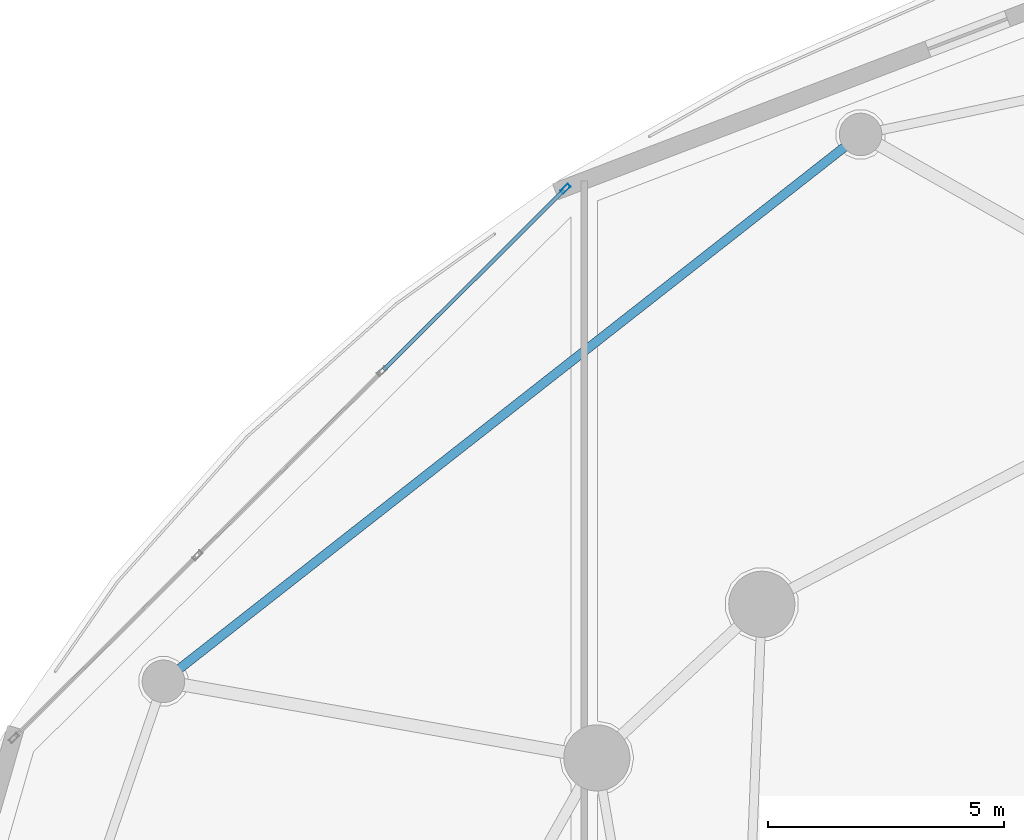
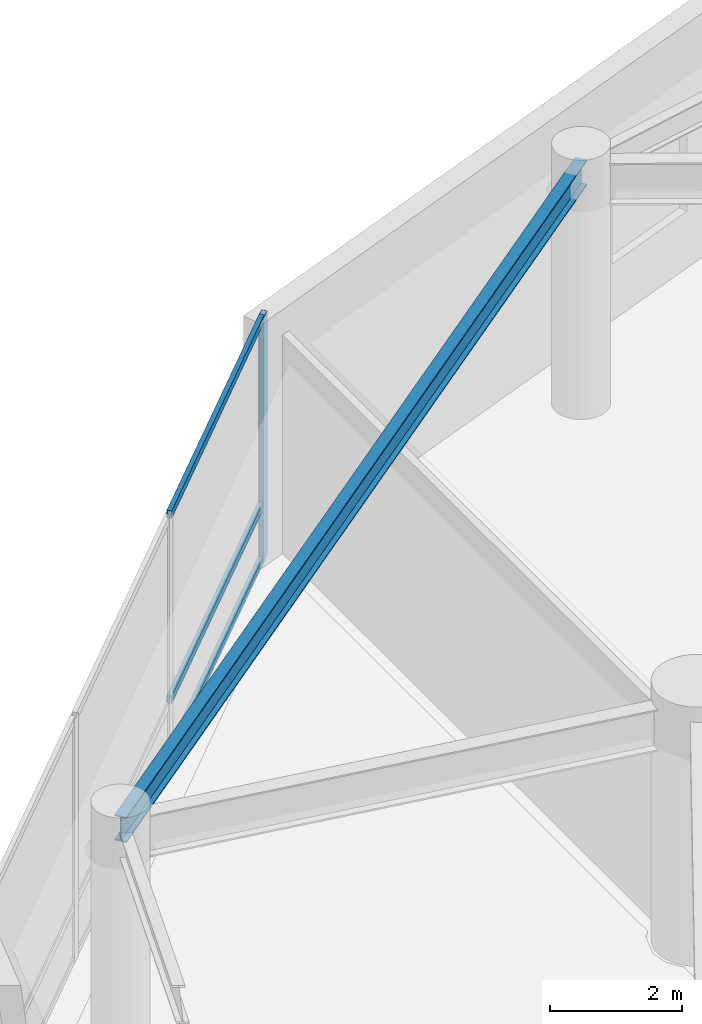
# One storey, part 9 of 40: 4 members, 1 beam, 1 element without a shape of its own.
"""IFC4 building model written with IfcOpenShell, lengths in metres."""

from ifc_helpers import new_model, si_unit, direction, frame, origin, origin_2d, place, context, subcontext, project, spatial, hollow_rectangle, i_section, extrude, material, layer, layer_set, material_profile, profile_set, type_object, element, aggregate, save


model = new_model("IFC4")

# Units and contexts
model_context = context("Model", 3, precision=1e-05, world=origin(), true_north=direction((0.0, 1.0)))
body_context = subcontext(model_context, "Body", "Model", "MODEL_VIEW")
ifc_project = project(units=[si_unit("LENGTHUNIT", "METRE"), si_unit("AREAUNIT", "SQUARE_METRE"), si_unit("VOLUMEUNIT", "CUBIC_METRE"), si_unit("PLANEANGLEUNIT", "RADIAN"), si_unit("MASSUNIT", "GRAM", prefix="KILO")], contexts=[model_context])

# Site, building, storey
site_placement = place(None, origin())
site = spatial("IfcSite", under=ifc_project, at=site_placement, CompositionType="ELEMENT")
building_placement = place(site_placement, origin())
building = spatial("IfcBuilding", under=site, at=building_placement, Name="Kazevale Care Tower and Concert Hall", CompositionType="ELEMENT")
storey_placement = place(building_placement, frame((0.0, 0.0, 4.800048828125)))
storey = spatial("IfcBuildingStorey", under=building, at=storey_placement, Name="L01", CompositionType="ELEMENT", Elevation=4.800048828125)

# Curtain wall, members
ifc_material_1 = material(Name="Aluminium 6063-T6 and Low-E Glass", Category="aluminium")
ifc_layer = layer(ifc_material_1, 0.179931640625)
ifc_layer_set = layer_set([ifc_layer], Name="Aluminium 6063-T6 and Low-E Glass")
curtain_wall_type = type_object("IfcCurtainWallType", Name="Podium Double-Skin Medical Curtain Wall CW-1", PredefinedType="NOTDEFINED", material=ifc_layer_set)
curtain_wall_placement = place(storey_placement, origin())
curtain_wall = element("IfcCurtainWall", 1, at=curtain_wall_placement, inside=storey, type_object=curtain_wall_type, Name="cw:L01:pod:06", PredefinedType="NOTDEFINED")
ifc_material_2 = material(Name="Aluminium 6063-T6", Category="aluminium")
ifc_material_profile_1 = material_profile(ifc_material_2, hollow_rectangle(XDim=0.090087890625, YDim=0.219970703125, WallThickness=0.0048828125, at=origin_2d()), Name="ALU90x220x5")
ifc_profile_set_1 = profile_set([ifc_material_profile_1], Name="Aluminium 6063-T6")
member_type_1 = type_object("IfcMemberType", Name="CW-1 Mullion ALU90x220x5", PredefinedType="MULLION", material=ifc_profile_set_1)
member_1_placement = place(storey_placement, frame((18.607177734375, 64.22216796875, 0.0), z_axis=(0.0, 0.0, 1.0), x_axis=(0.705655814257, -0.708554776856, 0.0)))
member_1 = element("IfcMember", 2, at=member_1_placement, type_object=member_type_1, Name="CW-1 mullion 1", PredefinedType="MULLION", context=body_context, shape_type="SweptSolid", body=[
    extrude(hollow_rectangle(XDim=0.090087890625, YDim=0.219970703125, WallThickness=0.0048828125, at=origin_2d()), origin(), (0.0, 0.0, 1.0), 4.52001953125),
])
ifc_material_profile_2 = material_profile(ifc_material_2, hollow_rectangle(XDim=0.080078125, YDim=0.139892578125, WallThickness=0.00390625, at=origin_2d()), Name="ALU80x140x4")
ifc_profile_set_2 = profile_set([ifc_material_profile_2], Name="Aluminium 6063-T6")
member_type_2 = type_object("IfcMemberType", Name="CW-1 Transom ALU80x140x4", PredefinedType="USERDEFINED", material=ifc_profile_set_2)
member_2_placement = place(storey_placement, frame((18.5751953125, 64.1904296875, 0.0400390625), z_axis=(-0.708556322862, -0.705654261896, 0.0), x_axis=(0.705654261896, -0.708556322862, 0.0)))
member_2 = element("IfcMember", 3, at=member_2_placement, type_object=member_type_2, Name="CW-1 transom 1.1", ObjectType="TRANSOM", PredefinedType="USERDEFINED", context=body_context, shape_type="SweptSolid", body=[
    extrude(hollow_rectangle(XDim=0.080078125, YDim=0.139892578125, WallThickness=0.00390625, at=origin_2d()), origin(), (0.0, 0.0, 1.0), 5.384033203125),
])
member_3_placement = place(storey_placement, frame((18.5751953125, 64.1904296875, 1.050048828125), z_axis=(-0.708556322862, -0.705654261896, 0.0), x_axis=(0.705654261896, -0.708556322862, 0.0)))
member_3 = element("IfcMember", 4, at=member_3_placement, type_object=member_type_2, Name="CW-1 transom 1.2", ObjectType="TRANSOM", PredefinedType="USERDEFINED", context=body_context, shape_type="SweptSolid", body=[
    extrude(hollow_rectangle(XDim=0.080078125, YDim=0.139892578125, WallThickness=0.00390625, at=origin_2d()), origin(), (0.0, 0.0, 1.0), 5.384033203125),
])
member_4_placement = place(storey_placement, frame((18.5751953125, 64.1904296875, 4.47998046875), z_axis=(-0.708556322862, -0.705654261896, 0.0), x_axis=(0.705654261896, -0.708556322862, 0.0)))
member_4 = element("IfcMember", 5, at=member_4_placement, type_object=member_type_2, Name="CW-1 transom 1.3", ObjectType="TRANSOM", PredefinedType="USERDEFINED", context=body_context, shape_type="SweptSolid", body=[
    extrude(hollow_rectangle(XDim=0.080078125, YDim=0.139892578125, WallThickness=0.00390625, at=origin_2d()), origin(), (0.0, 0.0, 1.0), 5.384033203125),
])
aggregate(curtain_wall, [member_1, member_2, member_3, member_4])

# Beam
ifc_material_3 = material(Name="Steel ASTM A572 Gr 50", Category="steel")
ifc_material_profile_3 = material_profile(ifc_material_3, i_section(OverallWidth=0.194091796875, OverallDepth=0.468994140625, WebThickness=0.0126953125, FlangeThickness=0.0205078125, at=origin_2d()), Name="W460x106")
ifc_profile_set_3 = profile_set([ifc_material_profile_3], Name="Steel ASTM A572 Gr 50")
beam_type = type_object("IfcBeamType", Name="Podium Floor Beam W460x106", PredefinedType="BEAM", material=ifc_profile_set_3)
beam_placement = place(storey_placement, frame((24.85009765625, 65.3701171875, 4.285400390625), z_axis=(-0.786816091325, -0.617187522907, 0.0), x_axis=(0.617187522907, -0.786816091325, 0.0)))
element("IfcBeam", 6, at=beam_placement, inside=storey, type_object=beam_type, Name="beam:L01:podring:05", PredefinedType="BEAM", context=body_context, shape_type="SweptSolid", body=[
    extrude(i_section(OverallWidth=0.194091796875, OverallDepth=0.468994140625, WebThickness=0.0126953125, FlangeThickness=0.0205078125, at=origin_2d()), origin(), (0.0, 0.0, 1.0), 18.746337890625),
])

save(model, "model.ifc")
